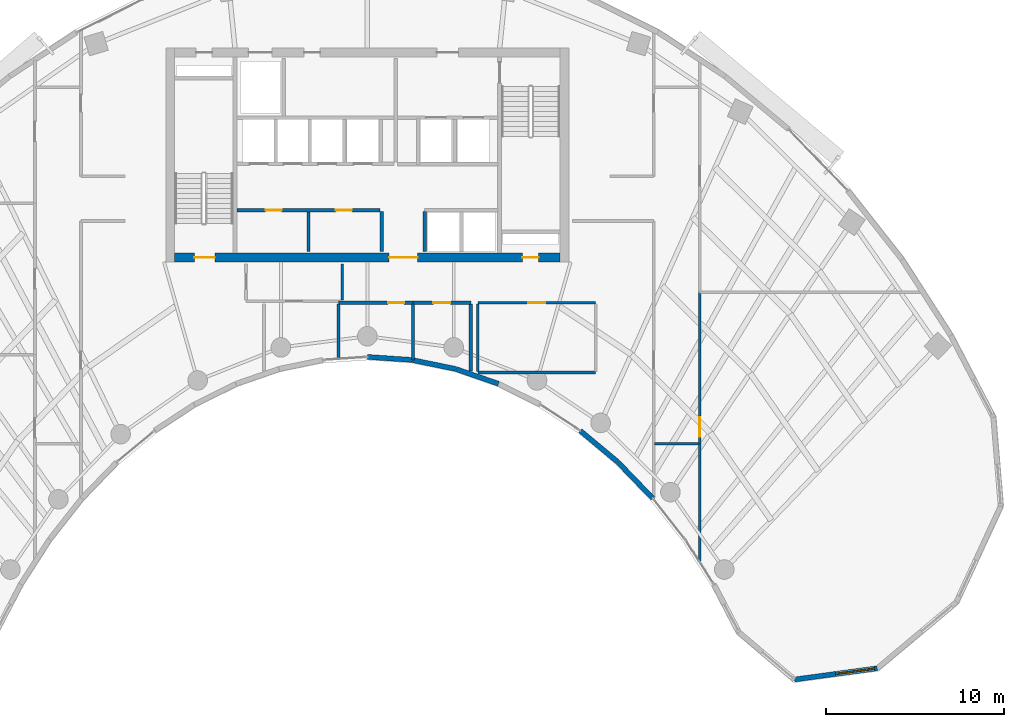
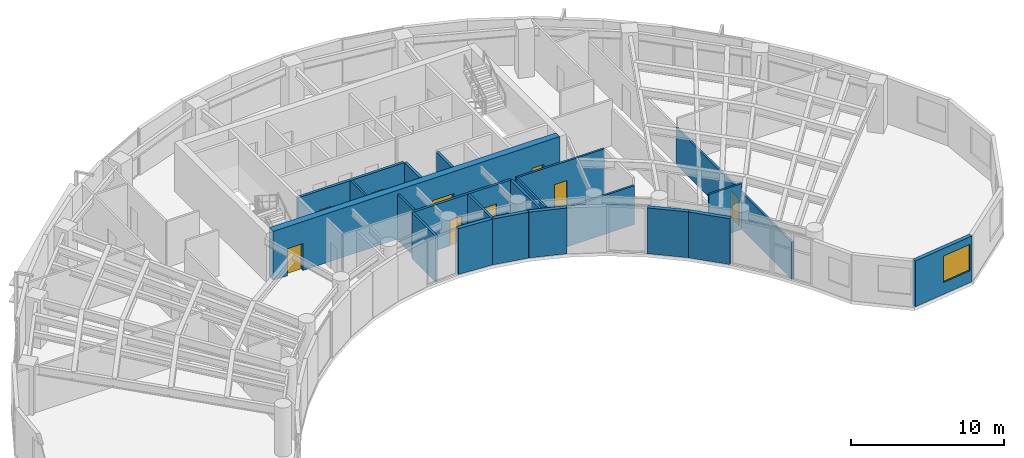
# One storey, part 8 of 12: 22 walls, 9 doors, 1 window, 10 openings.
"""IFC4 building model written with IfcOpenShell, lengths in metres."""

from ifc_helpers import new_model, si_unit, direction, frame, frame_2d, origin, place, context, subcontext, project, spatial, rectangle, extrude, source, transform, mapped, material, layer, layer_set, type_object, type_shapes, element, fill, save


model = new_model("IFC4")

# Units and contexts
model_context = context("Model", 3, precision=1e-05, world=origin(), true_north=direction((0.0, 1.0)))
body_context = subcontext(model_context, "Body", "Model", "MODEL_VIEW")
ifc_project = project(units=[si_unit("LENGTHUNIT", "METRE"), si_unit("AREAUNIT", "SQUARE_METRE"), si_unit("VOLUMEUNIT", "CUBIC_METRE"), si_unit("PLANEANGLEUNIT", "RADIAN"), si_unit("MASSUNIT", "GRAM", prefix="KILO")], contexts=[model_context])

# Site, building, storey
site_placement = place(None, origin())
site = spatial("IfcSite", under=ifc_project, at=site_placement, CompositionType="ELEMENT")
building_placement = place(site_placement, origin())
building = spatial("IfcBuilding", under=site, at=building_placement, Name="Breltana Convention Tower", CompositionType="ELEMENT")
storey_placement = place(building_placement, frame((0.0, 0.0, 150.60009765625)))
storey = spatial("IfcBuildingStorey", under=building, at=storey_placement, Name="L36", CompositionType="ELEMENT", Elevation=150.60009765625)

# Wall, openings, doors
ifc_material_1 = material(Name="Concrete C60/75", Category="concrete")
ifc_layer_1 = layer(ifc_material_1, 0.5, Name="Concrete C60/75")
ifc_layer_set_1 = layer_set([ifc_layer_1], Name="Concrete C60/75")
wall_type_1 = type_object("IfcWallType", Name="SW-CORE-500", PredefinedType="SHEAR", material=ifc_layer_set_1)
shared_shape_1 = source(origin(), body_context, "Body", "SweptSolid", [
    extrude(rectangle(XDim=21.60009765625, YDim=0.5, at=frame_2d((10.800048828125, 0.0))), origin(), (0.0, 0.0, 1.0), 3.89990234375),
])
wall_1_placement = place(storey_placement, frame((37.199951171875, 60.449951171875, 0.0), z_axis=(0.0, 0.0, 1.0), x_axis=(1.0, 0.0, 0.0)))
wall_1 = element("IfcWall", 1, at=wall_1_placement, inside=storey, type_object=wall_type_1, Name="L36 South Core Shear Wall", PredefinedType="SHEAR", context=body_context, shape_type="MappedRepresentation", body=[
    mapped(shared_shape_1, transform((0.0, 0.0, 0.0), scale=1.0)),
])
opening_1_placement = place(wall_1_placement, frame((1.10009765625, 0.0, 0.0)))
opening_1 = element("IfcOpeningElement", 2, at=opening_1_placement, cuts=wall_1, Name="Opening D-11", PredefinedType="OPENING", context=body_context, shape_type="SweptSolid", body=[
    extrude(rectangle(XDim=1.14990234375, YDim=2.14990234375, at=frame_2d((0.574951171875, 1.074951171875))), frame((0.0, 0.260009765625, 0.0), z_axis=(0.0, -1.0, 0.0), x_axis=(1.0, 0.0, 0.0)), (0.0, 0.0, 1.0), 0.52001953125),
])
opening_2_placement = place(wall_1_placement, frame((19.5, 0.0, 0.0)))
opening_2 = element("IfcOpeningElement", 3, at=opening_2_placement, cuts=wall_1, Name="Opening D-18", PredefinedType="OPENING", context=body_context, shape_type="SweptSolid", body=[
    extrude(rectangle(XDim=0.89990234375, YDim=2.10009765625, at=frame_2d((0.449951171875, 1.050048828125))), frame((0.0, 0.260009765625, 0.0), z_axis=(0.0, -1.0, 0.0), x_axis=(1.0, 0.0, 0.0)), (0.0, 0.0, 1.0), 0.52001953125),
])
opening_3_placement = place(wall_1_placement, frame((12.02001953125, 0.0, 0.0)))
opening_3 = element("IfcOpeningElement", 4, at=opening_3_placement, cuts=wall_1, Name="Opening D-02", PredefinedType="OPENING", context=body_context, shape_type="SweptSolid", body=[
    extrude(rectangle(XDim=1.60009765625, YDim=2.14990234375, at=frame_2d((0.800048828125, 1.074951171875))), frame((0.0, 0.260009765625, 0.0), z_axis=(0.0, -1.0, 0.0), x_axis=(1.0, 0.0, 0.0)), (0.0, 0.0, 1.0), 0.52001953125),
])
ifc_material_2 = material(Name="Steel Stair Exit Door", Category="steel")
door_type_1 = type_object("IfcDoorType", Name="DR-FD120-1150", OperationType="NOTDEFINED", PredefinedType="DOOR", material=ifc_material_2)
shared_shape_2 = source(origin(), body_context, "Body", "SweptSolid", [
    extrude(rectangle(XDim=1.14990234375, YDim=2.14990234375, at=frame_2d((0.574951171875, 1.074951171875))), frame((0.0, 0.02490234375, 0.0), z_axis=(0.0, -1.0, 0.0), x_axis=(1.0, 0.0, 0.0)), (0.0, 0.0, 1.0), 0.050048828125),
])
type_shapes(door_type_1, [shared_shape_2])
door_1_placement = place(opening_1_placement, origin())
door_1 = element("IfcDoor", 5, at=door_1_placement, inside=storey, type_object=door_type_1, Name="L36 interior door D-L36-ST1", OperationType="SINGLE_SWING_LEFT", OverallHeight=2.14990234375, OverallWidth=1.14990234375, PredefinedType="DOOR", context=body_context, shape_type="MappedRepresentation", body=[
    mapped(shared_shape_2, transform((0.0, 0.0, 0.0), scale=1.0)),
])
fill(opening_1, door_1)
ifc_material_3 = material(Name="Steel Riser Fire Door", Category="steel")
door_type_2 = type_object("IfcDoorType", Name="DR-FD60-900", OperationType="NOTDEFINED", PredefinedType="DOOR", material=ifc_material_3)
shared_shape_3 = source(origin(), body_context, "Body", "SweptSolid", [
    extrude(rectangle(XDim=0.89990234375, YDim=2.10009765625, at=frame_2d((0.449951171875, 1.050048828125))), frame((0.0, 0.02490234375, 0.0), z_axis=(0.0, -1.0, 0.0), x_axis=(1.0, 0.0, 0.0)), (0.0, 0.0, 1.0), 0.050048828125),
])
type_shapes(door_type_2, [shared_shape_3])
door_2_placement = place(opening_2_placement, origin())
door_2 = element("IfcDoor", 6, at=door_2_placement, inside=storey, type_object=door_type_2, Name="L36 Core Riser Access Door D-L36-RS2", OperationType="SINGLE_SWING_RIGHT", OverallHeight=2.10009765625, OverallWidth=0.89990234375, PredefinedType="DOOR", context=body_context, shape_type="MappedRepresentation", body=[
    mapped(shared_shape_3, transform((0.0, 0.0, 0.0), scale=1.0)),
])
fill(opening_2, door_2)
ifc_material_4 = material(Name="Steel Glazed Smoke-Control Door", Category="steel")
door_type_3 = type_object("IfcDoorType", Name="DR-DBL-FD90-1600", OperationType="DOUBLE_DOOR_SINGLE_SWING", PredefinedType="DOOR", material=ifc_material_4)
shared_shape_4 = source(origin(), body_context, "Body", "SweptSolid", [
    extrude(rectangle(XDim=1.60009765625, YDim=2.14990234375, at=frame_2d((0.800048828125, 1.074951171875))), frame((0.0, 0.02490234375, 0.0), z_axis=(0.0, -1.0, 0.0), x_axis=(1.0, 0.0, 0.0)), (0.0, 0.0, 1.0), 0.050048828125),
])
type_shapes(door_type_3, [shared_shape_4])
door_3_placement = place(opening_3_placement, origin())
door_3 = element("IfcDoor", 7, at=door_3_placement, inside=storey, type_object=door_type_3, Name="L36 interior door D-L36-LLB-S", OperationType="DOUBLE_DOOR_SINGLE_SWING", OverallHeight=2.14990234375, OverallWidth=1.60009765625, PredefinedType="DOOR", context=body_context, shape_type="MappedRepresentation", body=[
    mapped(shared_shape_4, transform((0.0, 0.0, 0.0), scale=1.0)),
])
fill(opening_3, door_3)

# Wall, opening, window
ifc_material_5 = material(Name="Limestone Buff Insulated Wall", Category="masonry")
ifc_layer_2 = layer(ifc_material_5, 0.280029296875, Name="Limestone Buff Insulated Wall")
ifc_layer_set_2 = layer_set([ifc_layer_2], Name="Limestone Buff Insulated Wall")
wall_type_2 = type_object("IfcWallType", Name="WL-EXT-NOSE-280", PredefinedType="SOLIDWALL", material=ifc_layer_set_2)
shared_shape_5 = source(origin(), body_context, "Body", "SweptSolid", [
    extrude(rectangle(XDim=4.680419921875, YDim=0.280029296875, at=frame_2d((2.34033203125, 0.0))), origin(), (0.0, 0.0, 1.0), 3.64990234375),
])
wall_2_placement = place(storey_placement, frame((76.594482421875, 37.41650390625, 0.0), z_axis=(0.0, 0.0, 1.0), x_axis=(-0.990931146435, -0.134370618162, 0.0)))
wall_2 = element("IfcWall", 8, at=wall_2_placement, inside=storey, type_object=wall_type_2, Name="L36 curved limestone nose wall E4", PredefinedType="SOLIDWALL", context=body_context, shape_type="MappedRepresentation", body=[
    mapped(shared_shape_5, transform((0.0, 0.0, 0.0), scale=1.0)),
])
opening_4_placement = place(wall_2_placement, frame((0.159912109375, 0.0, 0.949951171875)))
opening_4 = element("IfcOpeningElement", 9, at=opening_4_placement, cuts=wall_2, Name="Opening W-03", PredefinedType="OPENING", context=body_context, shape_type="SweptSolid", body=[
    extrude(rectangle(XDim=2.199951171875, YDim=2.10009765625, at=frame_2d((1.10009765625, 1.050048828125))), frame((0.0, 0.14990234375, 0.0), z_axis=(0.0, -1.0, 0.0), x_axis=(1.0, 0.0, 0.0)), (0.0, 0.0, 1.0), 0.300048828125),
])
ifc_material_6 = material(Name="Glass Low-E Insulated Window", Category="glass")
window_type = type_object("IfcWindowType", Name="WN-NOSE-2200X2100", PartitioningType="TRIPLE_PANEL_VERTICAL", PredefinedType="WINDOW", material=ifc_material_6)
shared_shape_6 = source(origin(), body_context, "Body", "SweptSolid", [
    extrude(rectangle(XDim=2.199951171875, YDim=2.10009765625, at=frame_2d((1.10009765625, 1.050048828125))), frame((0.0, 0.030029296875, 0.0), z_axis=(0.0, -1.0, 0.0), x_axis=(1.0, 0.0, 0.0)), (0.0, 0.0, 1.0), 0.06005859375),
])
type_shapes(window_type, [shared_shape_6])
window_placement = place(opening_4_placement, origin())
window = element("IfcWindow", 10, at=window_placement, inside=storey, type_object=window_type, Name="L36 nose window E4", OverallHeight=2.10009765625, OverallWidth=2.199951171875, PartitioningType="TRIPLE_PANEL_VERTICAL", PredefinedType="WINDOW", context=body_context, shape_type="MappedRepresentation", body=[
    mapped(shared_shape_6, transform((0.0, 0.0, 0.0), scale=1.0)),
])
fill(opening_4, window)

# Walls
shared_shape_7 = source(origin(), body_context, "Body", "SweptSolid", [
    extrude(rectangle(XDim=2.812255859375, YDim=0.280029296875, at=frame_2d((1.40625, 0.0))), origin(), (0.0, 0.0, 1.0), 3.64990234375),
])
wall_3_placement = place(storey_placement, frame((64.00830078125, 46.9501953125, 0.0), z_axis=(0.0, 0.0, 1.0), x_axis=(-0.694583668785, 0.719411931411, 0.0)))
element("IfcWall", 11, at=wall_3_placement, inside=storey, type_object=wall_type_2, Name="L36 curved limestone nose wall E7", PredefinedType="SOLIDWALL", context=body_context, shape_type="MappedRepresentation", body=[
    mapped(shared_shape_7, transform((0.0, 0.0, 0.0), scale=1.0)),
])
shared_shape_8 = source(origin(), body_context, "Body", "SweptSolid", [
    extrude(rectangle(XDim=2.7294921875, YDim=0.280029296875, at=frame_2d((1.36474609375, 0.0))), origin(), (0.0, 0.0, 1.0), 3.64990234375),
])
wall_4_placement = place(storey_placement, frame((62.040771484375, 48.986572265625, 0.0), z_axis=(0.0, 0.0, 1.0), x_axis=(-0.767957284255, 0.640501061326, 0.0)))
element("IfcWall", 12, at=wall_4_placement, inside=storey, type_object=wall_type_2, Name="L36 curved limestone nose wall E8", PredefinedType="SOLIDWALL", context=body_context, shape_type="MappedRepresentation", body=[
    mapped(shared_shape_8, transform((0.0, 0.0, 0.0), scale=1.0)),
])
shared_shape_9 = source(origin(), body_context, "Body", "SweptSolid", [
    extrude(rectangle(XDim=2.52978515625, YDim=0.280029296875, at=frame_2d((1.264892578125, 0.0))), origin(), (0.0, 0.0, 1.0), 3.64990234375),
])
wall_5_placement = place(storey_placement, frame((55.35546875, 53.369873046875, 0.0), z_axis=(0.0, 0.0, 1.0), x_axis=(-0.944872429646, 0.327438683872, 0.0)))
element("IfcWall", 13, at=wall_5_placement, inside=storey, type_object=wall_type_2, Name="L36 curved limestone nose wall E10", PredefinedType="SOLIDWALL", context=body_context, shape_type="MappedRepresentation", body=[
    mapped(shared_shape_9, transform((0.0, 0.0, 0.0), scale=1.0)),
])
shared_shape_10 = source(origin(), body_context, "Body", "SweptSolid", [
    extrude(rectangle(XDim=2.4912109375, YDim=0.280029296875, at=frame_2d((1.24560546875, 0.0))), origin(), (0.0, 0.0, 1.0), 3.64990234375),
])
wall_6_placement = place(storey_placement, frame((52.9423828125, 54.20458984375, 0.0), z_axis=(0.0, 0.0, 1.0), x_axis=(-0.979630885979, 0.200806691214, 0.0)))
element("IfcWall", 14, at=wall_6_placement, inside=storey, type_object=wall_type_2, Name="L36 curved limestone nose wall E11", PredefinedType="SOLIDWALL", context=body_context, shape_type="MappedRepresentation", body=[
    mapped(shared_shape_10, transform((0.0, 0.0, 0.0), scale=1.0)),
])
shared_shape_11 = source(origin(), body_context, "Body", "SweptSolid", [
    extrude(rectangle(XDim=2.471435546875, YDim=0.280029296875, at=frame_2d((1.23583984375, 0.0))), origin(), (0.0, 0.0, 1.0), 3.64990234375),
])
wall_7_placement = place(storey_placement, frame((50.47802734375, 54.708251953125, 0.0), z_axis=(0.0, 0.0, 1.0), x_axis=(-0.997708006929, 0.067666335123, 0.0)))
element("IfcWall", 15, at=wall_7_placement, inside=storey, type_object=wall_type_2, Name="L36 curved limestone nose wall E12", PredefinedType="SOLIDWALL", context=body_context, shape_type="MappedRepresentation", body=[
    mapped(shared_shape_11, transform((0.0, 0.0, 0.0), scale=1.0)),
])
ifc_material_7 = material(Name="Autoclaved Aerated Concrete Block", Category="concrete")
ifc_layer_3 = layer(ifc_material_7, 0.199951171875, Name="Autoclaved Aerated Concrete Block")
ifc_layer_set_3 = layer_set([ifc_layer_3], Name="Autoclaved Aerated Concrete Block")
wall_type_3 = type_object("IfcWallType", Name="WL-SHAFT-200", PredefinedType="SOLIDWALL", material=ifc_layer_set_3)
shared_shape_12 = source(origin(), body_context, "Body", "SweptSolid", [
    extrude(rectangle(XDim=2.239990234375, YDim=0.199951171875, at=frame_2d((1.1201171875, 0.0))), origin(), (0.0, 0.0, 1.0), 3.64990234375),
])
for number, where, z_axis, x_axis, name in (
    (16, (48.820068359375, 60.780029296875, 0.0), (0.0, 0.0, 1.0), (0.0, 1.0, 0.0), "L36 interior partition W-L36-PORT-W"),
    (17, (51.219970703125, 60.780029296875, 0.0), (0.0, 0.0, 1.0), (0.0, 1.0, 0.0), "L36 interior partition W-L36-PORT-E"),
):
    element("IfcWall", number, at=place(storey_placement, frame(where, z_axis=z_axis, x_axis=x_axis)), inside=storey, type_object=wall_type_3, Name=name, PredefinedType="SOLIDWALL", context=body_context, shape_type="MappedRepresentation", body=[
        mapped(shared_shape_12, transform((0.0, 0.0, 0.0), scale=1.0)),
    ])

# Wall, openings, doors
shared_shape_13 = source(origin(), body_context, "Body", "SweptSolid", [
    extrude(rectangle(XDim=8.02001953125, YDim=0.199951171875, at=frame_2d((4.010009765625, 0.0))), origin(), (0.0, 0.0, 1.0), 3.64990234375),
])
wall_8_placement = place(storey_placement, frame((40.699951171875, 63.10009765625, 0.0), z_axis=(0.0, 0.0, 1.0), x_axis=(1.0, 0.0, 0.0)))
wall_8 = element("IfcWall", 18, at=wall_8_placement, inside=storey, type_object=wall_type_3, Name="L36 interior partition W-L36-SH-S-FRONT", PredefinedType="SOLIDWALL", context=body_context, shape_type="MappedRepresentation", body=[
    mapped(shared_shape_13, transform((0.0, 0.0, 0.0), scale=1.0)),
])
opening_5_placement = place(wall_8_placement, frame((1.60009765625, 0.0, 0.0)))
opening_5 = element("IfcOpeningElement", 19, at=opening_5_placement, cuts=wall_8, Name="Opening D-18", PredefinedType="OPENING", context=body_context, shape_type="SweptSolid", body=[
    extrude(rectangle(XDim=0.89990234375, YDim=2.10009765625, at=frame_2d((0.449951171875, 1.050048828125))), frame((0.0, 0.10986328125, 0.0), z_axis=(0.0, -1.0, 0.0), x_axis=(1.0, 0.0, 0.0)), (0.0, 0.0, 1.0), 0.219970703125),
])
opening_6_placement = place(wall_8_placement, frame((5.5400390625, 0.0, 0.0)))
opening_6 = element("IfcOpeningElement", 20, at=opening_6_placement, cuts=wall_8, Name="Opening D-18", PredefinedType="OPENING", context=body_context, shape_type="SweptSolid", body=[
    extrude(rectangle(XDim=0.89990234375, YDim=2.10009765625, at=frame_2d((0.449951171875, 1.050048828125))), frame((0.0, 0.10986328125, 0.0), z_axis=(0.0, -1.0, 0.0), x_axis=(1.0, 0.0, 0.0)), (0.0, 0.0, 1.0), 0.219970703125),
])
door_4_placement = place(opening_5_placement, origin())
door_4 = element("IfcDoor", 21, at=door_4_placement, inside=storey, type_object=door_type_2, Name="L36 interior door D-L36-LV7-B1A", OperationType="SINGLE_SWING_LEFT", OverallHeight=2.10009765625, OverallWidth=0.89990234375, PredefinedType="DOOR", context=body_context, shape_type="MappedRepresentation", body=[
    mapped(shared_shape_3, transform((0.0, 0.0, 0.0), scale=1.0)),
])
fill(opening_5, door_4)
door_5_placement = place(opening_6_placement, origin())
door_5 = element("IfcDoor", 22, at=door_5_placement, inside=storey, type_object=door_type_2, Name="L36 interior door D-L36-LV7-B1B", OperationType="SINGLE_SWING_RIGHT", OverallHeight=2.10009765625, OverallWidth=0.89990234375, PredefinedType="DOOR", context=body_context, shape_type="MappedRepresentation", body=[
    mapped(shared_shape_3, transform((0.0, 0.0, 0.0), scale=1.0)),
])
fill(opening_6, door_5)

# Wall, opening, door
ifc_material_8 = material(Name="Moisture-Resistant Gypsum Chase Wall")
ifc_layer_4 = layer(ifc_material_8, 0.179931640625, Name="Moisture-Resistant Gypsum Chase Wall")
ifc_layer_set_4 = layer_set([ifc_layer_4], Name="Moisture-Resistant Gypsum Chase Wall")
wall_type_4 = type_object("IfcWallType", Name="WL-PLUMB-180", PredefinedType="PLUMBINGWALL", material=ifc_layer_set_4)
shared_shape_14 = source(origin(), body_context, "Body", "SweptSolid", [
    extrude(rectangle(XDim=4.176025390625, YDim=0.179931640625, at=frame_2d((2.087890625, 0.0))), origin(), (0.0, 0.0, 1.0), 3.64990234375),
])
wall_9_placement = place(storey_placement, frame((46.3759765625, 57.919921875, 0.0), z_axis=(0.0, 0.0, 1.0), x_axis=(1.0, 0.0, 0.0)))
wall_9 = element("IfcWall", 23, at=wall_9_placement, inside=storey, type_object=wall_type_4, Name="L36 interior partition W-L36-WCF-N", PredefinedType="PLUMBINGWALL", context=body_context, shape_type="MappedRepresentation", body=[
    mapped(shared_shape_14, transform((0.0, 0.0, 0.0), scale=1.0)),
])
opening_7_placement = place(wall_9_placement, frame((2.7880859375, 0.0, 0.0)))
opening_7 = element("IfcOpeningElement", 24, at=opening_7_placement, cuts=wall_9, Name="Opening D-19", PredefinedType="OPENING", context=body_context, shape_type="SweptSolid", body=[
    extrude(rectangle(XDim=0.89990234375, YDim=2.080078125, at=frame_2d((0.449951171875, 1.0400390625))), frame((0.0, 0.10009765625, 0.0), z_axis=(0.0, -1.0, 0.0), x_axis=(1.0, 0.0, 0.0)), (0.0, 0.0, 1.0), 0.199951171875),
])
ifc_material_9 = material(Name="Timber Moisture-Resistant Door", Category="wood")
door_type_4 = type_object("IfcDoorType", Name="DR-WC-900", OperationType="NOTDEFINED", PredefinedType="DOOR", material=ifc_material_9)
shared_shape_15 = source(origin(), body_context, "Body", "SweptSolid", [
    extrude(rectangle(XDim=0.89990234375, YDim=2.080078125, at=frame_2d((0.449951171875, 1.0400390625))), frame((0.0, 0.02490234375, 0.0), z_axis=(0.0, -1.0, 0.0), x_axis=(1.0, 0.0, 0.0)), (0.0, 0.0, 1.0), 0.050048828125),
])
type_shapes(door_type_4, [shared_shape_15])
door_6_placement = place(opening_7_placement, origin())
door_6 = element("IfcDoor", 25, at=door_6_placement, inside=storey, type_object=door_type_4, Name="L36 interior door D-L36-WCF", OperationType="SINGLE_SWING_LEFT", OverallHeight=2.080078125, OverallWidth=0.89990234375, PredefinedType="DOOR", context=body_context, shape_type="MappedRepresentation", body=[
    mapped(shared_shape_15, transform((0.0, 0.0, 0.0), scale=1.0)),
])
fill(opening_7, door_6)

# Wall
ifc_material_10 = material(Name="Cement Board Wet-Area Partition")
ifc_layer_5 = layer(ifc_material_10, 0.175048828125, Name="Cement Board Wet-Area Partition")
ifc_layer_set_5 = layer_set([ifc_layer_5], Name="Cement Board Wet-Area Partition")
wall_type_5 = type_object("IfcWallType", Name="WL-WET-175", PredefinedType="PARTITIONING", material=ifc_layer_set_5)
shared_shape_16 = source(origin(), body_context, "Body", "SweptSolid", [
    extrude(rectangle(XDim=3.7626953125, YDim=0.175048828125, at=frame_2d((1.88134765625, 0.0))), origin(), (0.0, 0.0, 1.0), 3.64990234375),
])
wall_10_placement = place(storey_placement, frame((53.800048828125, 54.07861328125, 0.0), z_axis=(0.0, 0.0, 1.0), x_axis=(0.0, 1.0, 0.0)))
element("IfcWall", 26, at=wall_10_placement, inside=storey, type_object=wall_type_5, Name="L36 interior partition W-L36-WCA-E", PredefinedType="PARTITIONING", context=body_context, shape_type="MappedRepresentation", body=[
    mapped(shared_shape_16, transform((0.0, 0.0, 0.0), scale=1.0)),
])

# Wall, opening, door
shared_shape_17 = source(origin(), body_context, "Body", "SweptSolid", [
    extrude(rectangle(XDim=3.248046875, YDim=0.179931640625, at=frame_2d((1.6240234375, 0.0))), origin(), (0.0, 0.0, 1.0), 3.64990234375),
])
wall_11_placement = place(storey_placement, frame((50.552001953125, 57.919921875, 0.0), z_axis=(0.0, 0.0, 1.0), x_axis=(1.0, 0.0, 0.0)))
wall_11 = element("IfcWall", 27, at=wall_11_placement, inside=storey, type_object=wall_type_4, Name="L36 interior partition W-L36-WCA-N", PredefinedType="PLUMBINGWALL", context=body_context, shape_type="MappedRepresentation", body=[
    mapped(shared_shape_17, transform((0.0, 0.0, 0.0), scale=1.0)),
])
opening_8_placement = place(wall_11_placement, frame((1.14892578125, 0.0, 0.0)))
opening_8 = element("IfcOpeningElement", 28, at=opening_8_placement, cuts=wall_11, Name="Opening D-16", PredefinedType="OPENING", context=body_context, shape_type="SweptSolid", body=[
    extrude(rectangle(XDim=0.949951171875, YDim=2.1201171875, at=frame_2d((0.47509765625, 1.06005859375))), frame((0.0, 0.10009765625, 0.0), z_axis=(0.0, -1.0, 0.0), x_axis=(1.0, 0.0, 0.0)), (0.0, 0.0, 1.0), 0.199951171875),
])
ifc_material_11 = material(Name="Timber Laminate Accessible Door", Category="wood")
door_type_5 = type_object("IfcDoorType", Name="DR-ACC-950", OperationType="NOTDEFINED", PredefinedType="DOOR", material=ifc_material_11)
shared_shape_18 = source(origin(), body_context, "Body", "SweptSolid", [
    extrude(rectangle(XDim=0.949951171875, YDim=2.1201171875, at=frame_2d((0.47509765625, 1.06005859375))), frame((0.0, 0.02490234375, 0.0), z_axis=(0.0, -1.0, 0.0), x_axis=(1.0, 0.0, 0.0)), (0.0, 0.0, 1.0), 0.050048828125),
])
type_shapes(door_type_5, [shared_shape_18])
door_7_placement = place(opening_8_placement, origin())
door_7 = element("IfcDoor", 29, at=door_7_placement, inside=storey, type_object=door_type_5, Name="L36 interior door D-L36-WCA", OperationType="SINGLE_SWING_RIGHT", OverallHeight=2.1201171875, OverallWidth=0.949951171875, PredefinedType="DOOR", context=body_context, shape_type="MappedRepresentation", body=[
    mapped(shared_shape_18, transform((0.0, 0.0, 0.0), scale=1.0)),
])
fill(opening_8, door_7)

# Wall
ifc_material_12 = material(Name="Gypsum Acoustic Drywall Partition")
ifc_layer_6 = layer(ifc_material_12, 0.14990234375, Name="Gypsum Acoustic Drywall Partition")
ifc_layer_set_6 = layer_set([ifc_layer_6], Name="Gypsum Acoustic Drywall Partition")
wall_type_6 = type_object("IfcWallType", Name="WL-PART-150", PredefinedType="PARTITIONING", material=ifc_layer_set_6)
shared_shape_19 = source(origin(), body_context, "Body", "SweptSolid", [
    extrude(rectangle(XDim=6.60009765625, YDim=0.14990234375, at=frame_2d((3.300048828125, 0.0))), origin(), (0.0, 0.0, 1.0), 3.094970703125),
])
wall_12_placement = place(storey_placement, frame((54.199951171875, 54.0, 0.0), z_axis=(0.0, 0.0, 1.0), x_axis=(1.0, 0.0, 0.0)))
element("IfcWall", 30, at=wall_12_placement, inside=storey, type_object=wall_type_6, Name="L36 interior partition W-L36-PNT-S", PredefinedType="PARTITIONING", context=body_context, shape_type="MappedRepresentation", body=[
    mapped(shared_shape_19, transform((0.0, 0.0, 0.0), scale=1.0)),
])

# Wall, opening, door
shared_shape_20 = source(origin(), body_context, "Body", "SweptSolid", [
    extrude(rectangle(XDim=6.60009765625, YDim=0.14990234375, at=frame_2d((3.300048828125, 0.0))), origin(), (0.0, 0.0, 1.0), 3.64990234375),
])
wall_13_placement = place(storey_placement, frame((54.199951171875, 57.919921875, 0.0), z_axis=(0.0, 0.0, 1.0), x_axis=(1.0, 0.0, 0.0)))
wall_13 = element("IfcWall", 31, at=wall_13_placement, inside=storey, type_object=wall_type_6, Name="L36 interior partition W-L36-PNT-N", PredefinedType="PARTITIONING", context=body_context, shape_type="MappedRepresentation", body=[
    mapped(shared_shape_20, transform((0.0, 0.0, 0.0), scale=1.0)),
])
opening_9_placement = place(wall_13_placement, frame((2.824951171875, 0.0, 0.0)))
opening_9 = element("IfcOpeningElement", 32, at=opening_9_placement, cuts=wall_13, Name="Opening D-17", PredefinedType="OPENING", context=body_context, shape_type="SweptSolid", body=[
    extrude(rectangle(XDim=0.949951171875, YDim=2.10009765625, at=frame_2d((0.47509765625, 1.050048828125))), frame((0.0, 0.0849609375, 0.0), z_axis=(0.0, -1.0, 0.0), x_axis=(1.0, 0.0, 0.0)), (0.0, 0.0, 1.0), 0.169921875),
])
ifc_material_13 = material(Name="Timber Oak Veneer Door", Category="wood")
door_type_6 = type_object("IfcDoorType", Name="DR-INT-950", OperationType="NOTDEFINED", PredefinedType="DOOR", material=ifc_material_13)
shared_shape_21 = source(origin(), body_context, "Body", "SweptSolid", [
    extrude(rectangle(XDim=0.949951171875, YDim=2.10009765625, at=frame_2d((0.47509765625, 1.050048828125))), frame((0.0, 0.02490234375, 0.0), z_axis=(0.0, -1.0, 0.0), x_axis=(1.0, 0.0, 0.0)), (0.0, 0.0, 1.0), 0.050048828125),
])
type_shapes(door_type_6, [shared_shape_21])
door_8_placement = place(opening_9_placement, origin())
door_8 = element("IfcDoor", 33, at=door_8_placement, inside=storey, type_object=door_type_6, Name="L36 interior door D-L36-PNT", OperationType="SINGLE_SWING_LEFT", OverallHeight=2.10009765625, OverallWidth=0.949951171875, PredefinedType="DOOR", context=body_context, shape_type="MappedRepresentation", body=[
    mapped(shared_shape_21, transform((0.0, 0.0, 0.0), scale=1.0)),
])
fill(opening_9, door_8)

# Walls
shared_shape_22 = source(origin(), body_context, "Body", "SweptSolid", [
    extrude(rectangle(XDim=3.78515625, YDim=0.14990234375, at=frame_2d((1.892578125, 0.0))), origin(), (0.0, 0.0, 1.0), 3.64990234375),
])
wall_14_placement = place(storey_placement, frame((54.199951171875, 54.0673828125, 0.0), z_axis=(0.0, 0.0, 1.0), x_axis=(0.0, 1.0, 0.0)))
element("IfcWall", 34, at=wall_14_placement, inside=storey, type_object=wall_type_6, Name="L36 interior partition W-L36-PNT-W", PredefinedType="PARTITIONING", context=body_context, shape_type="MappedRepresentation", body=[
    mapped(shared_shape_22, transform((0.0, 0.0, 0.0), scale=1.0)),
])
shared_shape_23 = source(origin(), body_context, "Body", "SweptSolid", [
    extrude(rectangle(XDim=2.5, YDim=0.14990234375, at=frame_2d((1.25, 0.0))), origin(), (0.0, 0.0, 1.0), 3.64990234375),
])
wall_15_placement = place(storey_placement, frame((64.10009765625, 50.0, 0.0), z_axis=(0.0, 0.0, 1.0), x_axis=(1.0, 0.0, 0.0)))
element("IfcWall", 35, at=wall_15_placement, inside=storey, type_object=wall_type_6, Name="L36 interior partition W-L36-CORNE-S", PredefinedType="PARTITIONING", context=body_context, shape_type="MappedRepresentation", body=[
    mapped(shared_shape_23, transform((0.0, 0.0, 0.0), scale=1.0)),
])
shared_shape_24 = source(origin(), body_context, "Body", "SweptSolid", [
    extrude(rectangle(XDim=2.199951171875, YDim=0.14990234375, at=frame_2d((1.10009765625, 0.0))), origin(), (0.0, 0.0, 1.0), 3.64990234375),
])
wall_16_placement = place(storey_placement, frame((44.699951171875, 60.800048828125, 0.0), z_axis=(0.0, 0.0, 1.0), x_axis=(0.0, 1.0, 0.0)))
element("IfcWall", 36, at=wall_16_placement, inside=storey, type_object=wall_type_6, Name="L36 interior partition W-L36-LV7-B1-DIV", PredefinedType="PARTITIONING", context=body_context, shape_type="MappedRepresentation", body=[
    mapped(shared_shape_24, transform((0.0, 0.0, 0.0), scale=1.0)),
])
shared_shape_25 = source(origin(), body_context, "Body", "SweptSolid", [
    extrude(rectangle(XDim=2.03271484375, YDim=0.14990234375, at=frame_2d((1.016357421875, 0.0))), origin(), (0.0, 0.0, 1.0), 3.64990234375),
])
wall_17_placement = place(storey_placement, frame((46.60009765625, 58.0673828125, 0.0), z_axis=(0.0, 0.0, 1.0), x_axis=(0.0, 1.0, 0.0)))
element("IfcWall", 37, at=wall_17_placement, inside=storey, type_object=wall_type_6, Name="L36 interior partition W-L36-CRSC-E", PredefinedType="PARTITIONING", context=body_context, shape_type="MappedRepresentation", body=[
    mapped(shared_shape_25, transform((0.0, 0.0, 0.0), scale=1.0)),
])
shared_shape_26 = source(origin(), body_context, "Body", "SweptSolid", [
    extrude(rectangle(XDim=3.065185546875, YDim=0.175048828125, at=frame_2d((1.53271484375, 0.0))), origin(), (0.0, 0.0, 1.0), 3.64990234375),
])
wall_18_placement = place(storey_placement, frame((46.3759765625, 54.776123046875, 0.0), z_axis=(0.0, 0.0, 1.0), x_axis=(0.0, 1.0, 0.0)))
element("IfcWall", 38, at=wall_18_placement, inside=storey, type_object=wall_type_5, Name="L36 interior partition W-L36-WCM-E", PredefinedType="PARTITIONING", context=body_context, shape_type="MappedRepresentation", body=[
    mapped(shared_shape_26, transform((0.0, 0.0, 0.0), scale=1.0)),
])
shared_shape_27 = source(origin(), body_context, "Body", "SweptSolid", [
    extrude(rectangle(XDim=3.136474609375, YDim=0.175048828125, at=frame_2d((1.568359375, 0.0))), origin(), (0.0, 0.0, 1.0), 3.64990234375),
])
wall_19_placement = place(storey_placement, frame((50.552001953125, 54.704833984375, 0.0), z_axis=(0.0, 0.0, 1.0), x_axis=(0.0, 1.0, 0.0)))
element("IfcWall", 39, at=wall_19_placement, inside=storey, type_object=wall_type_5, Name="L36 interior partition W-L36-WCF-E", PredefinedType="PARTITIONING", context=body_context, shape_type="MappedRepresentation", body=[
    mapped(shared_shape_27, transform((0.0, 0.0, 0.0), scale=1.0)),
])

# Wall, opening, door
shared_shape_28 = source(origin(), body_context, "Body", "SweptSolid", [
    extrude(rectangle(XDim=15.11181640625, YDim=0.14990234375, at=frame_2d((7.555908203125, 0.0))), origin(), (0.0, 0.0, 1.0), 2.94189453125),
])
wall_20_placement = place(storey_placement, frame((66.639892578125, 43.38818359375, 0.0), z_axis=(0.0, 0.0, 1.0), x_axis=(0.0, 1.0, 0.0)))
wall_20 = element("IfcWall", 40, at=wall_20_placement, inside=storey, type_object=wall_type_6, Name="L36 interior partition W-L36-ZE1-W", PredefinedType="PARTITIONING", context=body_context, shape_type="MappedRepresentation", body=[
    mapped(shared_shape_28, transform((0.0, 0.0, 0.0), scale=1.0)),
])
opening_10_placement = place(wall_20_placement, frame((7.005859375, 0.0, 0.0)))
opening_10 = element("IfcOpeningElement", 41, at=opening_10_placement, cuts=wall_20, Name="Opening D-12", PredefinedType="OPENING", context=body_context, shape_type="SweptSolid", body=[
    extrude(rectangle(XDim=1.10009765625, YDim=2.14990234375, at=frame_2d((0.550048828125, 1.074951171875))), frame((0.0, 0.0849609375, 0.0), z_axis=(0.0, -1.0, 0.0), x_axis=(1.0, 0.0, 0.0)), (0.0, 0.0, 1.0), 0.169921875),
])
ifc_material_14 = material(Name="Timber Oak Acoustic Door", Category="wood")
door_type_7 = type_object("IfcDoorType", Name="DR-INT-1100", OperationType="NOTDEFINED", PredefinedType="DOOR", material=ifc_material_14)
shared_shape_29 = source(origin(), body_context, "Body", "SweptSolid", [
    extrude(rectangle(XDim=1.10009765625, YDim=2.14990234375, at=frame_2d((0.550048828125, 1.074951171875))), frame((0.0, 0.02490234375, 0.0), z_axis=(0.0, -1.0, 0.0), x_axis=(1.0, 0.0, 0.0)), (0.0, 0.0, 1.0), 0.050048828125),
])
type_shapes(door_type_7, [shared_shape_29])
door_9_placement = place(opening_10_placement, origin())
door_9 = element("IfcDoor", 42, at=door_9_placement, inside=storey, type_object=door_type_7, Name="L36 interior door D-L36-ZE1", OperationType="SINGLE_SWING_LEFT", OverallHeight=2.14990234375, OverallWidth=1.10009765625, PredefinedType="DOOR", context=body_context, shape_type="MappedRepresentation", body=[
    mapped(shared_shape_29, transform((0.0, 0.0, 0.0), scale=1.0)),
])
fill(opening_10, door_9)

save(model, "model.ifc")
